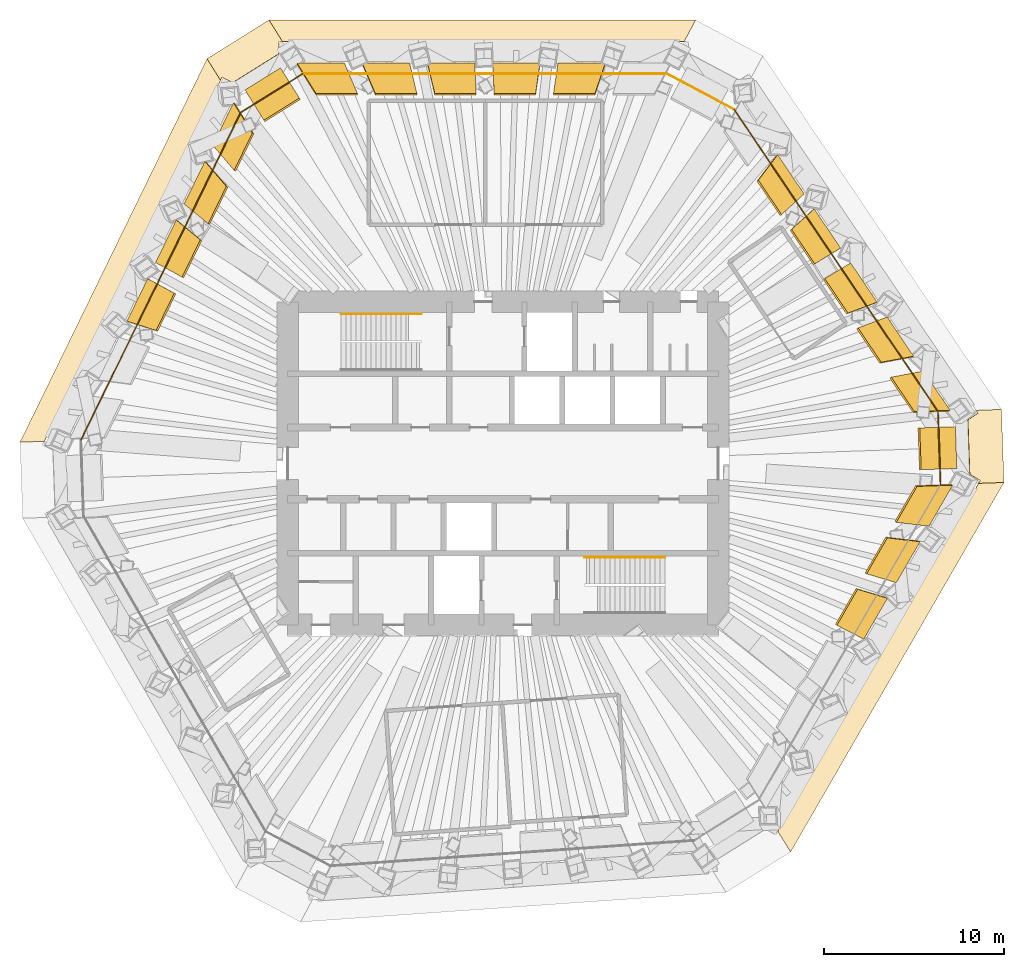
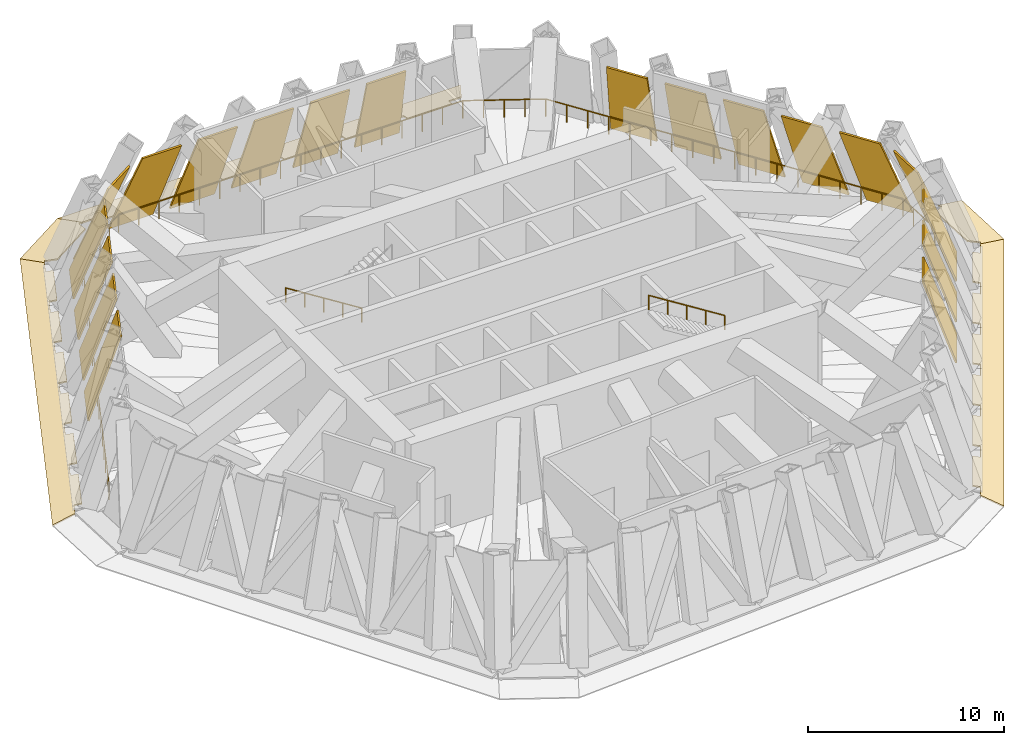
# One storey, part 11 of 12: 19 shading devices, 5 coverings, 5 railings.
"""IFC4 building model written with IfcOpenShell, lengths in metres."""

from ifc_helpers import new_model, si_unit, direction, frame, origin, origin_2d, place, context, subcontext, project, spatial, polyline, circle, outline, extrude, material, layer, layer_set, type_object, element, save


model = new_model("IFC4")

# Units and contexts
model_context = context("Model", 3, precision=1e-05, world=origin(), true_north=direction((0.0, 1.0)))
body_context = subcontext(model_context, "Body", "Model", "MODEL_VIEW")
ifc_project = project(units=[si_unit("LENGTHUNIT", "METRE"), si_unit("AREAUNIT", "SQUARE_METRE"), si_unit("VOLUMEUNIT", "CUBIC_METRE"), si_unit("PLANEANGLEUNIT", "RADIAN"), si_unit("MASSUNIT", "GRAM", prefix="KILO")], contexts=[model_context])

# Site, building, storey
site_placement = place(None, origin())
site = spatial("IfcSite", under=ifc_project, at=site_placement, CompositionType="ELEMENT")
building_placement = place(site_placement, origin())
building = spatial("IfcBuilding", under=site, at=building_placement, Name="Qingtian Harvest Tower", CompositionType="ELEMENT")
storey_placement = place(building_placement, frame((0.0, 0.0, 256.0)))
storey = spatial("IfcBuildingStorey", under=building, at=storey_placement, Name="L56", CompositionType="ELEMENT", Elevation=256.0)

# Coverings
ifc_material_1 = material(Name="Bronze-finished aluminium plate", Category="aluminium")
ifc_layer_1 = layer(ifc_material_1, 0.080078125)
ifc_layer_set_1 = layer_set([ifc_layer_1], Name="Bronze eave band EB1")
covering_type = type_object("IfcCoveringType", Name="Bronze eave band EB1", PredefinedType="CLADDING", material=ifc_layer_set_1)
covering_1_placement = place(storey_placement, frame((-11.471923828125, 23.10009765625, -0.02001953125), z_axis=(0.0, 0.184343882462, 0.982861807681), x_axis=(0.0, 0.982861807681, -0.184343882462)))
element("IfcCovering", 1, at=covering_1_placement, inside=storey, type_object=covering_type, Name="Eave band EB1 L56 1", PredefinedType="CLADDING", context=body_context, shape_type="SweptSolid", body=[
    extrude(outline(polyline([(0.0, 0.0), (0.4068655304926855, 0.0), (0.4068655304926855, 0.8125), (1.6277470842974369, 1.562255859375), (1.6277470842974369, -22.205078125), (0.4068655304926855, -21.567138671875), (0.4068655304926855, -20.80126953125), (0.0, -20.80126953125), (0.0, -18.167724609375), (0.4068655304926855, -18.167724609375), (0.4068655304926855, -17.167724609375), (0.0, -17.167724609375), (0.0, -14.5341796875), (0.4068655304926855, -14.5341796875), (0.4068655304926855, -13.5341796875), (0.0, -13.5341796875), (0.0, -10.900634765625), (0.4068655304926855, -10.900634765625), (0.4068655304926855, -9.900634765625), (0.0, -9.900634765625), (0.0, -7.26708984375), (0.4068655304926855, -7.26708984375), (0.4068655304926855, -6.26708984375), (0.0, -6.26708984375), (0.0, -3.633544921875), (0.4068655304926855, -3.633544921875), (0.4068655304926855, -2.633544921875), (0.0, -2.633544921875), (0.0, 0.0)])), origin(), (0.0, 0.0, -1.0), 0.080078125),
])
covering_2_placement = place(storey_placement, frame((25.8984375, 2.4248046875, -0.02001953125), z_axis=(0.156969731015, 0.005482427884, 0.987588196836), x_axis=(0.821587984747, 0.554191052257, -0.133661740665)))
element("IfcCovering", 2, at=covering_2_placement, inside=storey, type_object=covering_type, Name="Eave band EB1 L56 4", PredefinedType="CLADDING", context=body_context, shape_type="SweptSolid", body=[
    extrude(outline(polyline([(0.0, 0.0), (0.6793053962986764, 2.5153490401663703e-17), (0.6773206408514344, 0.18815764345070607), (1.8965150561599002, -0.5643307549199099), (-0.24125869790192372, -4.028385382129886), (-1.4604531132103897, -3.27589698375927), (-1.2913332770197092, -3.193446800084255), (-1.5960858165766778, -2.5860723721423153), (0.0, 0.0)])), origin(), (0.0, 0.0, -1.0), 0.080078125),
])
covering_3_placement = place(storey_placement, frame((25.7412109375, -1.614990234375, -0.02001953125), z_axis=(0.159633346166, -0.092164532694, 0.982864636512), x_axis=(0.851253284595, -0.491315316063, -0.184328797715)))
element("IfcCovering", 3, at=covering_3_placement, inside=storey, type_object=covering_type, Name="Eave band EB1 L56 5", PredefinedType="CLADDING", context=body_context, shape_type="SweptSolid", body=[
    extrude(outline(polyline([(0.0, 0.0), (0.4069591297840107, -1.6056356548152517e-17), (0.4070847949871502, 0.8124719664403706), (1.6280722173565418, 1.562047531781673), (1.624824683426499, -22.20546586153173), (0.4039633679516567, -21.5672379491105), (0.4041373644814294, -20.80124894656173), (-0.0028217653025812695, -20.80124894656173), (-0.0025919603321673534, -18.16772616984978), (0.4043671694518433, -18.16772616984978), (0.4045310612425021, -17.167776937937532), (-0.0024280685415085657, -17.167776937937532), (-0.001990438062160038, -14.534132118982651), (0.4049686917218506, -14.534132118982651), (0.4051325835125103, -13.534182887070406), (-0.0018265462715003622, -13.534182887070406), (-0.0015967413010873344, -10.900660110358452), (0.40536238848292333, -10.900660110358453), (0.40552628027358256, -9.900710878446208), (-0.0014328495104285466, -9.900710878446208), (-0.000995219031080019, -7.2670660594913254), (0.40596391075293065, -7.2670660594913254), (0.40612780254358943, -6.26711682757908), (-0.0008313272404212313, -6.2671168275790805), (-0.0006015222700073153, -3.6335940508671274), (0.40635760751400357, -3.6335940508671274), (0.4065214993046627, -2.6336448189548824), (-0.0004376304793480834, -2.6336448189548824), (0.0, 0.0)])), origin(), (0.0, 0.0, -1.0), 0.080078125),
])
covering_4_placement = place(storey_placement, frame((-24.851806640625, 1.7412109375, -0.02001953125), z_axis=(-0.16567566083, 0.080805421628, 0.982864212007), x_axis=(-0.883494124512, 0.430650894606, -0.18433105796)))
element("IfcCovering", 4, at=covering_4_placement, inside=storey, type_object=covering_type, Name="Eave band EB1 L56 11", PredefinedType="CLADDING", context=body_context, shape_type="SweptSolid", body=[
    extrude(outline(polyline([(0.0, 0.0), (0.4070273004214636, -1.616138863361205e-18), (0.40722250288965106, 0.7657374614928104), (1.6282392940380286, 1.4033998503321208), (1.6227528119716161, -22.36405735761741), (0.40199024124493404, -21.61371721086718), (0.40232514182869233, -20.801466851256443), (-0.004807297971337832, -20.80124739473146), (-0.004103369355098252, -18.167735418789743), (0.40270823425862295, -18.167842392984333), (0.40308164846245126, -17.167897271032416), (-0.003945651959012864, -17.167897271032416), (-0.003346862721340216, -14.534165838565714), (0.403680437700123, -14.534165838565714), (0.4038381550962084, -13.534327690808386), (-0.002973448517511912, -13.534220716613799), (-0.0025903560875821796, -10.900596258341686), (0.4045420837124471, -10.900815714866672), (0.40459466172996733, -9.900758110584357), (-0.0022169418837543198, -9.90065113638977), (-0.0015130132675160723, -7.267139160448055), (0.40529859034620513, -7.267246134642645), (0.4055668651714674, -6.267081556165742), (-0.0014604352499962836, -6.267081556165742), (-0.0007565066337580362, -3.6335695802240275), (0.4060550969799634, -3.6336765544186163), (0.40642851118379114, -2.6337314324667), (-0.0007039286162382474, -2.6335119759417145), (0.0, 0.0)])), origin(), (0.0, 0.0, -1.0), 0.080078125),
])
covering_5_placement = place(storey_placement, frame((-15.049072265625, 21.21630859375, -0.02001953125), z_axis=(-0.083230656277, 0.133199482055, 0.987588252176), x_axis=(-0.890741856729, 0.434412348931, -0.133659476907)))
element("IfcCovering", 5, at=covering_5_placement, inside=storey, type_object=covering_type, Name="Eave band EB1 L56 12", PredefinedType="CLADDING", context=body_context, shape_type="SweptSolid", body=[
    extrude(outline(polyline([(0.0, 0.0), (0.6794616499263704, 1.0408340855860843e-17), (0.6773408507581952, 0.188352474681021), (1.896645876898138, -0.5643538715233043), (-0.24130743153422812, -4.028319467993622), (-1.4605063999717955, -3.2758306048848556), (-1.2913712408002183, -3.193360166887986), (-1.5960173794139854, -2.5860500282019574), (0.0, 0.0)])), origin(), (0.0, 0.0, -1.0), 0.080078125),
])

# Shading devices
ifc_material_2 = material(Name="Bronze-finished aluminium lattice", Category="aluminium")
ifc_layer_2 = layer(ifc_material_2, 0.10009765625)
ifc_layer_set_2 = layer_set([ifc_layer_2], Name="Bronze lattice screen LS1")
shading_device_type = type_object("IfcShadingDeviceType", Name="Bronze lattice screen LS1", PredefinedType="USERDEFINED", material=ifc_layer_set_2)
shading_device_1_placement = place(storey_placement, frame((-11.471923828125, 22.300048828125, 0.0), z_axis=(0.0, 0.948683298051, 0.316227766017), x_axis=(1.0, 0.0, 0.0)))
element("IfcShadingDevice", 6, at=shading_device_1_placement, inside=storey, type_object=shading_device_type, Name="Lattice screen LS1 L56 N0", ObjectType="SCREEN", PredefinedType="USERDEFINED", context=body_context, shape_type="SweptSolid", body=[
    extrude(outline(polyline([(0.0, 0.0), (2.633544921875, 0.0), (3.36083984375, -5.32321886397973), (1.0517578125, -5.32321886397973), (0.0, 0.0)])), origin(), (0.0, 0.0, -1.0), 0.10009765625),
])
shading_device_2_placement = place(storey_placement, frame((-7.83837890625, 22.300048828125, 0.0), z_axis=(0.0, 0.948683298051, 0.316227766017), x_axis=(1.0, 0.0, 0.0)))
element("IfcShadingDevice", 7, at=shading_device_2_placement, inside=storey, type_object=shading_device_type, Name="Lattice screen LS1 L56 N1", ObjectType="SCREEN", PredefinedType="USERDEFINED", context=body_context, shape_type="SweptSolid", body=[
    extrude(outline(polyline([(0.0, 0.0), (2.633544921875, 0.0), (3.036376953125, -5.32321886397973), (0.727294921875, -5.32321886397973), (0.0, 0.0)])), origin(), (0.0, 0.0, -1.0), 0.10009765625),
])
shading_device_3_placement = place(storey_placement, frame((-4.204833984375, 22.300048828125, 0.0), z_axis=(0.0, 0.948683298051, 0.316227766017), x_axis=(1.0, 0.0, 0.0)))
element("IfcShadingDevice", 8, at=shading_device_3_placement, inside=storey, type_object=shading_device_type, Name="Lattice screen LS1 L56 N2", ObjectType="SCREEN", PredefinedType="USERDEFINED", context=body_context, shape_type="SweptSolid", body=[
    extrude(outline(polyline([(0.0, 0.0), (2.633544921875, 0.0), (2.7119140625, -5.32321886397973), (0.40283203125, -5.32321886397973), (0.0, 0.0)])), origin(), (0.0, 0.0, -1.0), 0.10009765625),
])
shading_device_4_placement = place(storey_placement, frame((-0.5712890625, 22.300048828125, 0.0), z_axis=(0.0, 0.948683298051, 0.316227766017), x_axis=(1.0, 0.0, 0.0)))
element("IfcShadingDevice", 9, at=shading_device_4_placement, inside=storey, type_object=shading_device_type, Name="Lattice screen LS1 L56 N3", ObjectType="SCREEN", PredefinedType="USERDEFINED", context=body_context, shape_type="SweptSolid", body=[
    extrude(outline(polyline([(0.0, 0.0), (2.633544921875, 0.0), (2.387451171875, -5.32321886397973), (0.078369140625, -5.32321886397973), (0.0, 0.0)])), origin(), (0.0, 0.0, -1.0), 0.10009765625),
])
shading_device_5_placement = place(storey_placement, frame((3.062255859375, 22.300048828125, 0.0), z_axis=(0.0, 0.948683298051, 0.316227766017), x_axis=(1.0, 0.0, 0.0)))
element("IfcShadingDevice", 10, at=shading_device_5_placement, inside=storey, type_object=shading_device_type, Name="Lattice screen LS1 L56 N4", ObjectType="SCREEN", PredefinedType="USERDEFINED", context=body_context, shape_type="SweptSolid", body=[
    extrude(outline(polyline([(0.0, 0.0), (2.633544921875, 0.0), (2.06298828125, -5.32321886397973), (-0.24609375, -5.32321886397973), (0.0, 0.0)])), origin(), (0.0, 0.0, -1.0), 0.10009765625),
])
shading_device_6_placement = place(storey_placement, frame((15.302490234375, 17.19189453125, 0.0), z_axis=(0.786480289837, 0.530521561177, 0.316220851343), x_axis=(0.559218483557, -0.829020317987, -3.673647e-06)))
element("IfcShadingDevice", 11, at=shading_device_6_placement, inside=storey, type_object=shading_device_type, Name="Lattice screen LS1 L56 NE1", ObjectType="SCREEN", PredefinedType="USERDEFINED", context=body_context, shape_type="SweptSolid", body=[
    extrude(outline(polyline([(0.0, 0.0), (2.633375384827294, 0.0), (2.8796140848559735, -5.323217081969674), (0.5705186569100688, -5.323197942969833), (0.0, 0.0)])), origin(), (0.0, 0.0, -1.0), 0.10009765625),
])
shading_device_7_placement = place(storey_placement, frame((17.33447265625, 14.1796875, 0.0), z_axis=(0.786492150273, 0.530497952409, 0.316230959979), x_axis=(0.559193576057, -0.829037118882, 3.592269e-06)))
element("IfcShadingDevice", 12, at=shading_device_7_placement, inside=storey, type_object=shading_device_type, Name="Lattice screen LS1 L56 NE2", ObjectType="SCREEN", PredefinedType="USERDEFINED", context=body_context, shape_type="SweptSolid", body=[
    extrude(outline(polyline([(0.0, 0.0), (2.6335777844079398, 0.0), (2.5550824722330225, -5.323215162960764), (0.24598704427478774, -5.323233878831355), (0.0, 0.0)])), origin(), (0.0, 0.0, -1.0), 0.10009765625),
])
shading_device_8_placement = place(storey_placement, frame((19.3662109375, 11.167236328125, 0.0), z_axis=(0.786495096988, 0.530499940002, 0.316220296742), x_axis=(0.559193576123, -0.829037118837, 3.592162e-06)))
element("IfcShadingDevice", 13, at=shading_device_8_placement, inside=storey, type_object=shading_device_type, Name="Lattice screen LS1 L56 NE3", ObjectType="SCREEN", PredefinedType="USERDEFINED", context=body_context, shape_type="SweptSolid", body=[
    extrude(outline(polyline([(0.0, 0.0), (2.6335777844079384, -5.551115123125783e-17), (2.230600115103637, -5.3231964477112435), (-0.07849531285460089, -5.323215162950739), (0.0, 0.0)])), origin(), (0.0, 0.0, -1.0), 0.10009765625),
])
shading_device_9_placement = place(storey_placement, frame((21.398193359375, 8.155029296875, 0.0), z_axis=(0.786507579043, 0.530461498735, 0.316253737477), x_axis=(0.559163021217, -0.829057727561, -8.693677e-06)))
element("IfcShadingDevice", 14, at=shading_device_9_placement, inside=storey, type_object=shading_device_type, Name="Lattice screen LS1 L56 NE4", ObjectType="SCREEN", PredefinedType="USERDEFINED", context=body_context, shape_type="SweptSolid", body=[
    extrude(outline(polyline([(0.0, 0.0), (2.633577783582794, 0.0), (1.9061836419951617, -5.323284911894318), (-0.4027752686488637, -5.32323961837244), (0.0, 0.0)])), origin(), (0.0, 0.0, -1.0), 0.10009765625),
])
shading_device_10_placement = place(storey_placement, frame((23.429931640625, 5.142578125, 0.0), z_axis=(0.786494611884, 0.530499612794, 0.316222052208), x_axis=(0.559193576112, -0.829037118844, 3.592179e-06)))
element("IfcShadingDevice", 15, at=shading_device_10_placement, inside=storey, type_object=shading_device_type, Name="Lattice screen LS1 L56 NE5", ObjectType="SCREEN", PredefinedType="USERDEFINED", context=body_context, shape_type="SweptSolid", body=[
    extrude(outline(polyline([(0.0, 0.0), (2.6335777844079384, 0.0), (1.581837803956473, -5.323202187504345), (-0.7272576240017644, -5.323220902847737), (0.0, 0.0)])), origin(), (0.0, 0.0, -1.0), 0.10009765625),
])
shading_device_11_placement = place(storey_placement, frame((25.19970703125, 2.045166015625, 0.0), z_axis=(0.93011204706, 0.032490014861, 0.365835999934), x_axis=(0.034909999292, -0.999390460205, 0.0)))
element("IfcShadingDevice", 16, at=shading_device_11_placement, inside=storey, type_object=shading_device_type, Name="Lattice screen LS1 L56 NEC", ObjectType="SCREEN", PredefinedType="USERDEFINED", context=body_context, shape_type="SweptSolid", body=[
    extrude(outline(polyline([(0.0, 0.0), (2.3288120817631106, -6.938893903907228e-18), (2.3288482723035036, -5.42619637961976), (3.619054039284697e-05, -5.42619637961976), (0.0, 0.0)])), origin(), (0.0, 0.0, -1.0), 0.10009765625),
])
shading_device_12_placement = place(storey_placement, frame((25.04833984375, -1.21484375, 0.0), z_axis=(0.821600154473, -0.474319099046, 0.316219193676), x_axis=(-0.499973036993, -0.866040970304, -5.845142e-06)))
element("IfcShadingDevice", 17, at=shading_device_12_placement, inside=storey, type_object=shading_device_type, Name="Lattice screen LS1 L56 SE0", ObjectType="SCREEN", PredefinedType="USERDEFINED", context=body_context, shape_type="SweptSolid", body=[
    extrude(outline(polyline([(0.0, 0.0), (2.63352278639824, 0.0), (3.3608959311725557, -5.323223538256828), (1.0517860484324566, -5.323193085205464), (0.0, 0.0)])), origin(), (0.0, 0.0, -1.0), 0.10009765625),
])
shading_device_13_placement = place(storey_placement, frame((23.231689453125, -4.36181640625, 0.0), z_axis=(0.821567180988, -0.474373977478, 0.316222542865), x_axis=(-0.500036595707, -0.86600427413, 1.190394e-05)))
element("IfcShadingDevice", 18, at=shading_device_13_placement, inside=storey, type_object=shading_device_type, Name="Lattice screen LS1 L56 SE1", ObjectType="SCREEN", PredefinedType="USERDEFINED", context=body_context, shape_type="SweptSolid", body=[
    extrude(outline(polyline([(0.0, 0.0), (2.6334334281970815, -1.1102230246251565e-16), (3.0364847739555545, -5.323170993885546), (0.7273748934623473, -5.32323301208504), (0.0, 0.0)])), origin(), (0.0, 0.0, -1.0), 0.10009765625),
])
shading_device_14_placement = place(storey_placement, frame((21.414794921875, -7.508544921875, 0.0), z_axis=(0.82158605304, -0.474338012142, 0.316227461946), x_axis=(-0.499996300964, -0.866027539413, 6.51234e-07)))
element("IfcShadingDevice", 19, at=shading_device_14_placement, inside=storey, type_object=shading_device_type, Name="Lattice screen LS1 L56 SE2", ObjectType="SCREEN", PredefinedType="USERDEFINED", context=body_context, shape_type="SweptSolid", body=[
    extrude(outline(polyline([(0.0, 0.0), (2.633311351747201, -5.551115123125783e-17), (2.7118146515262276, -5.323216433694024), (0.4027047680810649, -5.323219826474942), (0.0, 0.0)])), origin(), (0.0, 0.0, -1.0), 0.10009765625),
])
shading_device_15_placement = place(storey_placement, frame((-20.947021484375, 7.922119140625, 0.0), z_axis=(-0.852681683048, 0.415843990733, 0.316239976545), x_axis=(0.438335153425, 0.898811600402, -1.595771e-05)))
element("IfcShadingDevice", 20, at=shading_device_15_placement, inside=storey, type_object=shading_device_type, Name="Lattice screen LS1 L56 NW2", ObjectType="SCREEN", PredefinedType="USERDEFINED", context=body_context, shape_type="SweptSolid", body=[
    extrude(outline(polyline([(0.0, 0.0), (2.6336244831277704, 0.0), (2.554962842143017, -5.323284680720508), (0.24606729782729736, -5.323201542710382), (0.0, 0.0)])), origin(), (0.0, 0.0, -1.0), 0.10009765625),
])
shading_device_16_placement = place(storey_placement, frame((-19.354248046875, 11.18798828125, 0.0), z_axis=(-0.852676001452, 0.415888080506, 0.316197313463), x_axis=(0.438382208087, 0.898788651225, 7.910758e-06)))
element("IfcShadingDevice", 21, at=shading_device_16_placement, inside=storey, type_object=shading_device_type, Name="Lattice screen LS1 L56 NW3", ObjectType="SCREEN", PredefinedType="USERDEFINED", context=body_context, shape_type="SweptSolid", body=[
    extrude(outline(polyline([(0.0, 0.0), (2.6335120692544414, 0.0), (2.2307744191374885, -5.323143308221182), (-0.07834056103567222, -5.323184522722104), (0.0, 0.0)])), origin(), (0.0, 0.0, -1.0), 0.10009765625),
])
shading_device_17_placement = place(storey_placement, frame((-17.761474609375, 14.453857421875, 0.0), z_axis=(-0.852666501401, 0.415883446908, 0.316229024563), x_axis=(0.438382208562, 0.898788650993, 7.911463e-06)))
element("IfcShadingDevice", 22, at=shading_device_17_placement, inside=storey, type_object=shading_device_type, Name="Lattice screen LS1 L56 NW4", ObjectType="SCREEN", PredefinedType="USERDEFINED", context=body_context, shape_type="SweptSolid", body=[
    extrude(outline(polyline([(0.0, 0.0), (2.63351206925446, -5.551115123125783e-17), (1.9062649305910755, -5.3232053210005255), (-0.4028500495820326, -5.323246539634807), (0.0, 0.0)])), origin(), (0.0, 0.0, -1.0), 0.10009765625),
])
shading_device_18_placement = place(storey_placement, frame((-16.168701171875, 17.7197265625, 0.0), z_axis=(-0.85265700061, 0.415878812949, 0.316260734603), x_axis=(0.438382209037, 0.898788650761, 7.912168e-06)))
element("IfcShadingDevice", 23, at=shading_device_18_placement, inside=storey, type_object=shading_device_type, Name="Lattice screen LS1 L56 NW5", ObjectType="SCREEN", PredefinedType="USERDEFINED", context=body_context, shape_type="SweptSolid", body=[
    extrude(outline(polyline([(0.0, 0.0), (2.6335120692544782, 1.1102230246251565e-16), (1.5817554420446667, -5.323267340270249), (-0.7273595381283883, -5.3233085630377515), (0.0, 0.0)])), origin(), (0.0, 0.0, -1.0), 0.10009765625),
])
shading_device_19_placement = place(storey_placement, frame((-14.370849609375, 20.801025390625, 0.0), z_axis=(-0.493221519762, 0.789252002643, 0.365805698108), x_axis=(0.848027751335, 0.529951821362, 0.0)))
element("IfcShadingDevice", 24, at=shading_device_19_placement, inside=storey, type_object=shading_device_type, Name="Lattice screen LS1 L56 NWC", ObjectType="SCREEN", PredefinedType="USERDEFINED", context=body_context, shape_type="SweptSolid", body=[
    extrude(outline(polyline([(0.0, 0.0), (2.3287604827972537, 0.0), (2.3285861040031035, -5.426126937289292), (-0.0001743787941501651, -5.426126937289292), (0.0, 0.0)])), origin(), (0.0, 0.0, -1.0), 0.10009765625),
])

# Railings
ifc_material_3 = material(Name="Stainless steel handrail", Category="steel")
railing_type_1 = type_object("IfcRailingType", Name="Handrail HR1", PredefinedType="HANDRAIL", material=ifc_material_3)
for number, where, name in (
    (25, (-4.550048828125, 8.320068359375, 0.176513671875), "Handrail HR1 S1 flight 1"),
    (26, (9.030029296875, -5.22998046875, 3.176513671875), "Handrail HR1 S2 flight 2"),
):
    element("IfcRailing", number, at=place(storey_placement, frame(where)), inside=storey, type_object=railing_type_1, Name=name, PredefinedType="HANDRAIL", context=body_context, shape_type="SweptSolid", body=[
        extrude(circle(Radius=0.02392578125, at=origin_2d()), frame((0.0, 0.0, 0.8759765625), z_axis=(-0.845997938375, 0.0, 0.533186166611), x_axis=(0.0, -1.0, 0.0)), (0.0, 0.0, 1.0), 5.29541015625),
        extrude(circle(Radius=0.02099609375, at=origin_2d()), origin(), (0.0, 0.0, 1.0), 0.851806640625),
        extrude(circle(Radius=0.02099609375, at=origin_2d()), frame((-1.1201171875, 0.0, 0.705810546875)), (0.0, 0.0, 1.0), 0.851806640625),
        extrude(circle(Radius=0.02099609375, at=origin_2d()), frame((-2.239990234375, 0.0, 1.41162109375)), (0.0, 0.0, 1.0), 0.851806640625),
        extrude(circle(Radius=0.02099609375, at=origin_2d()), frame((-3.35986328125, 0.0, 2.11767578125)), (0.0, 0.0, 1.0), 0.851806640625),
        extrude(circle(Radius=0.02099609375, at=origin_2d()), frame((-4.47998046875, 0.0, 2.823486328125)), (0.0, 0.0, 1.0), 0.851806640625),
    ])
ifc_material_4 = material(Name="Galvanised steel guard", Category="steel")
railing_type_2 = type_object("IfcRailingType", Name="Setback roof guard GR4 1100", PredefinedType="GUARDRAIL", material=ifc_material_4)
railing_1_placement = place(storey_placement, frame((-11.15966796875, 21.699951171875, 0.0)))
element("IfcRailing", 27, at=railing_1_placement, inside=storey, type_object=railing_type_2, Name="Setback roof guard GR4 L56 N", PredefinedType="GUARDRAIL", context=body_context, shape_type="SweptSolid", body=[
    extrude(circle(Radius=0.02392578125, at=origin_2d()), frame((0.0, 0.0, 1.076171875), z_axis=(1.0, 0.0, 0.0), x_axis=(0.0, 1.0, 0.0)), (0.0, 0.0, 1.0), 20.2978515625),
    extrude(circle(Radius=0.02392578125, at=origin_2d()), frame((20.2978515625, 0.0, 1.076171875), z_axis=(0.882935902835, -0.469493547863, 0.0), x_axis=(0.469493547863, 0.882935902835, 0.0)), (0.0, 0.0, 1.0), 4.238037109375),
    extrude(circle(Radius=0.02099609375, at=origin_2d()), origin(), (0.0, 0.0, 1.0), 1.052001953125),
    extrude(circle(Radius=0.02099609375, at=origin_2d()), frame((1.194091796875, 0.0, 0.0)), (0.0, 0.0, 1.0), 1.052001953125),
    extrude(circle(Radius=0.02099609375, at=origin_2d()), frame((2.387939453125, 0.0, 0.0)), (0.0, 0.0, 1.0), 1.052001953125),
    extrude(circle(Radius=0.02099609375, at=origin_2d()), frame((3.58203125, 0.0, 0.0)), (0.0, 0.0, 1.0), 1.052001953125),
    extrude(circle(Radius=0.02099609375, at=origin_2d()), frame((4.77587890625, 0.0, 0.0)), (0.0, 0.0, 1.0), 1.052001953125),
    extrude(circle(Radius=0.02099609375, at=origin_2d()), frame((5.969970703125, 0.0, 0.0)), (0.0, 0.0, 1.0), 1.052001953125),
    extrude(circle(Radius=0.02099609375, at=origin_2d()), frame((7.1640625, 0.0, 0.0)), (0.0, 0.0, 1.0), 1.052001953125),
    extrude(circle(Radius=0.02099609375, at=origin_2d()), frame((8.35791015625, 0.0, 0.0)), (0.0, 0.0, 1.0), 1.052001953125),
    extrude(circle(Radius=0.02099609375, at=origin_2d()), frame((9.552001953125, 0.0, 0.0)), (0.0, 0.0, 1.0), 1.052001953125),
    extrude(circle(Radius=0.02099609375, at=origin_2d()), frame((10.745849609375, 0.0, 0.0)), (0.0, 0.0, 1.0), 1.052001953125),
    extrude(circle(Radius=0.02099609375, at=origin_2d()), frame((11.93994140625, 0.0, 0.0)), (0.0, 0.0, 1.0), 1.052001953125),
    extrude(circle(Radius=0.02099609375, at=origin_2d()), frame((13.1337890625, 0.0, 0.0)), (0.0, 0.0, 1.0), 1.052001953125),
    extrude(circle(Radius=0.02099609375, at=origin_2d()), frame((14.327880859375, 0.0, 0.0)), (0.0, 0.0, 1.0), 1.052001953125),
    extrude(circle(Radius=0.02099609375, at=origin_2d()), frame((15.52197265625, 0.0, 0.0)), (0.0, 0.0, 1.0), 1.052001953125),
    extrude(circle(Radius=0.02099609375, at=origin_2d()), frame((16.7158203125, 0.0, 0.0)), (0.0, 0.0, 1.0), 1.052001953125),
    extrude(circle(Radius=0.02099609375, at=origin_2d()), frame((17.909912109375, 0.0, 0.0)), (0.0, 0.0, 1.0), 1.052001953125),
    extrude(circle(Radius=0.02099609375, at=origin_2d()), frame((19.103759765625, 0.0, 0.0)), (0.0, 0.0, 1.0), 1.052001953125),
    extrude(circle(Radius=0.02099609375, at=origin_2d()), frame((20.2978515625, 0.0, 0.0)), (0.0, 0.0, 1.0), 1.052001953125),
    extrude(circle(Radius=0.02099609375, at=origin_2d()), frame((21.2333984375, -0.49755859375, 0.0)), (0.0, 0.0, 1.0), 1.052001953125),
    extrude(circle(Radius=0.02099609375, at=origin_2d()), frame((22.1689453125, -0.994873046875, 0.0)), (0.0, 0.0, 1.0), 1.052001953125),
    extrude(circle(Radius=0.02099609375, at=origin_2d()), frame((23.104248046875, -1.4921875, 0.0)), (0.0, 0.0, 1.0), 1.052001953125),
    extrude(circle(Radius=0.02099609375, at=origin_2d()), frame((24.039794921875, -1.98974609375, 0.0)), (0.0, 0.0, 1.0), 1.052001953125),
])
railing_2_placement = place(storey_placement, frame((12.880126953125, 19.710205078125, 0.0)))
element("IfcRailing", 28, at=railing_2_placement, inside=storey, type_object=railing_type_2, Name="Setback roof guard GR4 L56 NE", PredefinedType="GUARDRAIL", context=body_context, shape_type="SweptSolid", body=[
    extrude(circle(Radius=0.02392578125, at=origin_2d()), frame((0.0, 0.0, 1.076171875), z_axis=(0.55919704087, -0.829034781829, 0.0), x_axis=(0.829034781829, 0.55919704087, 0.0)), (0.0, 0.0, 1.0), 20.297607421875),
    extrude(circle(Radius=0.02392578125, at=origin_2d()), frame((11.350341796875, -16.827392578125, 1.076171875), z_axis=(0.034904306503, -0.999390659046, 0.0), x_axis=(0.999390659046, 0.034904306503, 0.0)), (0.0, 0.0, 1.0), 4.07080078125),
    extrude(circle(Radius=0.02099609375, at=origin_2d()), origin(), (0.0, 0.0, 1.0), 1.052001953125),
    extrude(circle(Radius=0.02099609375, at=origin_2d()), frame((0.667724609375, -0.98974609375, 0.0)), (0.0, 0.0, 1.0), 1.052001953125),
    extrude(circle(Radius=0.02099609375, at=origin_2d()), frame((1.33544921875, -1.979736328125, 0.0)), (0.0, 0.0, 1.0), 1.052001953125),
    extrude(circle(Radius=0.02099609375, at=origin_2d()), frame((2.0029296875, -2.969482421875, 0.0)), (0.0, 0.0, 1.0), 1.052001953125),
    extrude(circle(Radius=0.02099609375, at=origin_2d()), frame((2.670654296875, -3.95947265625, 0.0)), (0.0, 0.0, 1.0), 1.052001953125),
    extrude(circle(Radius=0.02099609375, at=origin_2d()), frame((3.33837890625, -4.94921875, 0.0)), (0.0, 0.0, 1.0), 1.052001953125),
    extrude(circle(Radius=0.02099609375, at=origin_2d()), frame((4.006103515625, -5.93896484375, 0.0)), (0.0, 0.0, 1.0), 1.052001953125),
    extrude(circle(Radius=0.02099609375, at=origin_2d()), frame((4.673583984375, -6.928955078125, 0.0)), (0.0, 0.0, 1.0), 1.052001953125),
    extrude(circle(Radius=0.02099609375, at=origin_2d()), frame((5.34130859375, -7.918701171875, 0.0)), (0.0, 0.0, 1.0), 1.052001953125),
    extrude(circle(Radius=0.02099609375, at=origin_2d()), frame((6.009033203125, -8.90869140625, 0.0)), (0.0, 0.0, 1.0), 1.052001953125),
    extrude(circle(Radius=0.02099609375, at=origin_2d()), frame((6.6767578125, -9.8984375, 0.0)), (0.0, 0.0, 1.0), 1.052001953125),
    extrude(circle(Radius=0.02099609375, at=origin_2d()), frame((7.34423828125, -10.888427734375, 0.0)), (0.0, 0.0, 1.0), 1.052001953125),
    extrude(circle(Radius=0.02099609375, at=origin_2d()), frame((8.011962890625, -11.878173828125, 0.0)), (0.0, 0.0, 1.0), 1.052001953125),
    extrude(circle(Radius=0.02099609375, at=origin_2d()), frame((8.6796875, -12.867919921875, 0.0)), (0.0, 0.0, 1.0), 1.052001953125),
    extrude(circle(Radius=0.02099609375, at=origin_2d()), frame((9.347412109375, -13.85791015625, 0.0)), (0.0, 0.0, 1.0), 1.052001953125),
    extrude(circle(Radius=0.02099609375, at=origin_2d()), frame((10.014892578125, -14.84765625, 0.0)), (0.0, 0.0, 1.0), 1.052001953125),
    extrude(circle(Radius=0.02099609375, at=origin_2d()), frame((10.6826171875, -15.837646484375, 0.0)), (0.0, 0.0, 1.0), 1.052001953125),
    extrude(circle(Radius=0.02099609375, at=origin_2d()), frame((11.350341796875, -16.827392578125, 0.0)), (0.0, 0.0, 1.0), 1.052001953125),
    extrude(circle(Radius=0.02099609375, at=origin_2d()), frame((11.3857421875, -17.844482421875, 0.0)), (0.0, 0.0, 1.0), 1.052001953125),
    extrude(circle(Radius=0.02099609375, at=origin_2d()), frame((11.42138671875, -18.861572265625, 0.0)), (0.0, 0.0, 1.0), 1.052001953125),
    extrude(circle(Radius=0.02099609375, at=origin_2d()), frame((11.45703125, -19.878662109375, 0.0)), (0.0, 0.0, 1.0), 1.052001953125),
    extrude(circle(Radius=0.02099609375, at=origin_2d()), frame((11.492431640625, -20.895751953125, 0.0)), (0.0, 0.0, 1.0), 1.052001953125),
])
railing_3_placement = place(storey_placement, frame((-23.509765625, 1.29931640625, 0.0)))
element("IfcRailing", 29, at=railing_3_placement, inside=storey, type_object=railing_type_2, Name="Setback roof guard GR4 L56 NW", PredefinedType="GUARDRAIL", context=body_context, shape_type="SweptSolid", body=[
    extrude(circle(Radius=0.02392578125, at=origin_2d()), frame((0.0, 0.0, 1.076171875), z_axis=(0.438368179242, 0.898795493663, 0.0), x_axis=(-0.898795493663, 0.438368179242, 0.0)), (0.0, 0.0, 1.0), 20.2978515625),
    extrude(circle(Radius=0.02392578125, at=origin_2d()), frame((8.89794921875, 18.24365234375, 1.076171875), z_axis=(0.848065686315, 0.529891113055, 0.0), x_axis=(-0.529891113055, 0.848065686315, 0.0)), (0.0, 0.0, 1.0), 4.070556640625),
    extrude(circle(Radius=0.02099609375, at=origin_2d()), origin(), (0.0, 0.0, 1.0), 1.052001953125),
    extrude(circle(Radius=0.02099609375, at=origin_2d()), frame((0.5234375, 1.0732421875, 0.0)), (0.0, 0.0, 1.0), 1.052001953125),
    extrude(circle(Radius=0.02099609375, at=origin_2d()), frame((1.046875, 2.146240234375, 0.0)), (0.0, 0.0, 1.0), 1.052001953125),
    extrude(circle(Radius=0.02099609375, at=origin_2d()), frame((1.5703125, 3.219482421875, 0.0)), (0.0, 0.0, 1.0), 1.052001953125),
    extrude(circle(Radius=0.02099609375, at=origin_2d()), frame((2.09375, 4.292724609375, 0.0)), (0.0, 0.0, 1.0), 1.052001953125),
    extrude(circle(Radius=0.02099609375, at=origin_2d()), frame((2.616943359375, 5.36572265625, 0.0)), (0.0, 0.0, 1.0), 1.052001953125),
    extrude(circle(Radius=0.02099609375, at=origin_2d()), frame((3.140380859375, 6.43896484375, 0.0)), (0.0, 0.0, 1.0), 1.052001953125),
    extrude(circle(Radius=0.02099609375, at=origin_2d()), frame((3.663818359375, 7.51220703125, 0.0)), (0.0, 0.0, 1.0), 1.052001953125),
    extrude(circle(Radius=0.02099609375, at=origin_2d()), frame((4.187255859375, 8.585205078125, 0.0)), (0.0, 0.0, 1.0), 1.052001953125),
    extrude(circle(Radius=0.02099609375, at=origin_2d()), frame((4.710693359375, 9.658447265625, 0.0)), (0.0, 0.0, 1.0), 1.052001953125),
    extrude(circle(Radius=0.02099609375, at=origin_2d()), frame((5.234130859375, 10.7314453125, 0.0)), (0.0, 0.0, 1.0), 1.052001953125),
    extrude(circle(Radius=0.02099609375, at=origin_2d()), frame((5.757568359375, 11.8046875, 0.0)), (0.0, 0.0, 1.0), 1.052001953125),
    extrude(circle(Radius=0.02099609375, at=origin_2d()), frame((6.281005859375, 12.8779296875, 0.0)), (0.0, 0.0, 1.0), 1.052001953125),
    extrude(circle(Radius=0.02099609375, at=origin_2d()), frame((6.80419921875, 13.950927734375, 0.0)), (0.0, 0.0, 1.0), 1.052001953125),
    extrude(circle(Radius=0.02099609375, at=origin_2d()), frame((7.32763671875, 15.024169921875, 0.0)), (0.0, 0.0, 1.0), 1.052001953125),
    extrude(circle(Radius=0.02099609375, at=origin_2d()), frame((7.85107421875, 16.097412109375, 0.0)), (0.0, 0.0, 1.0), 1.052001953125),
    extrude(circle(Radius=0.02099609375, at=origin_2d()), frame((8.37451171875, 17.17041015625, 0.0)), (0.0, 0.0, 1.0), 1.052001953125),
    extrude(circle(Radius=0.02099609375, at=origin_2d()), frame((8.89794921875, 18.24365234375, 0.0)), (0.0, 0.0, 1.0), 1.052001953125),
    extrude(circle(Radius=0.02099609375, at=origin_2d()), frame((9.760986328125, 18.782958984375, 0.0)), (0.0, 0.0, 1.0), 1.052001953125),
    extrude(circle(Radius=0.02099609375, at=origin_2d()), frame((10.6240234375, 19.322265625, 0.0)), (0.0, 0.0, 1.0), 1.052001953125),
    extrude(circle(Radius=0.02099609375, at=origin_2d()), frame((11.487060546875, 19.861328125, 0.0)), (0.0, 0.0, 1.0), 1.052001953125),
    extrude(circle(Radius=0.02099609375, at=origin_2d()), frame((12.35009765625, 20.400634765625, 0.0)), (0.0, 0.0, 1.0), 1.052001953125),
])

save(model, "model.ifc")
